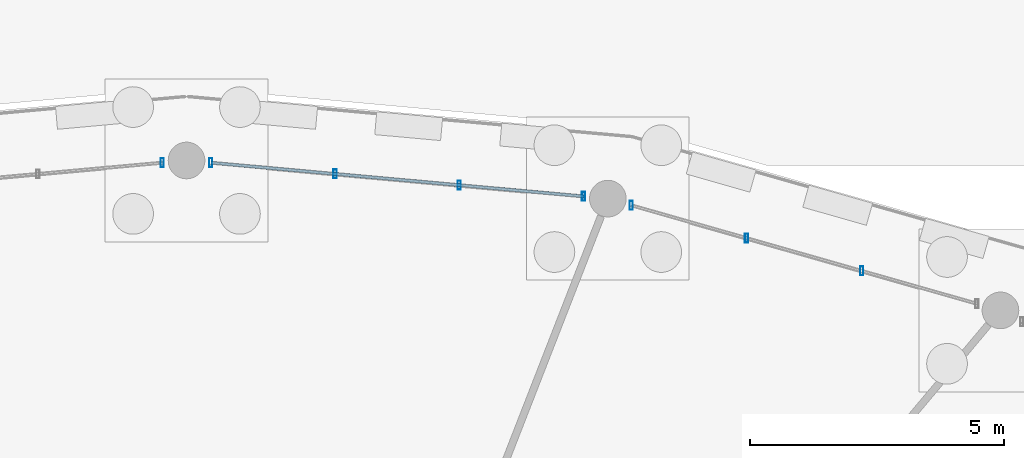
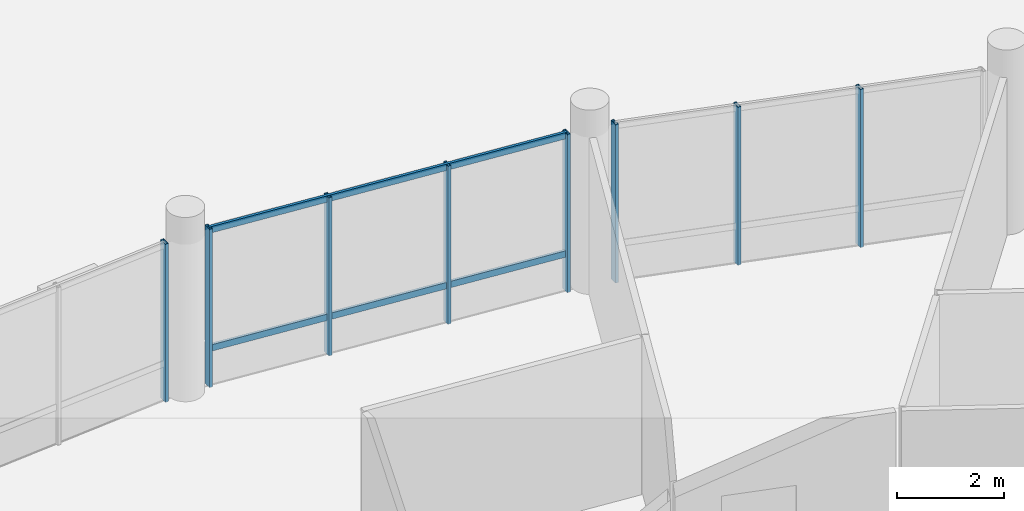
# One storey, part 43 of 98: 10 members, 3 elements without a shape of their own.
"""IFC4 building model written with IfcOpenShell, lengths in metres."""

from ifc_helpers import new_model, si_unit, direction, frame, origin, origin_2d, place, context, subcontext, project, spatial, hollow_rectangle, extrude, material, material_profile, profile_set, type_object, element, aggregate, save


model = new_model("IFC4")

# Units and contexts
model_context = context("Model", 3, precision=1e-05, world=origin(), true_north=direction((0.0, 1.0)))
body_context = subcontext(model_context, "Body", "Model", "MODEL_VIEW")
ifc_project = project(units=[si_unit("LENGTHUNIT", "METRE"), si_unit("AREAUNIT", "SQUARE_METRE"), si_unit("VOLUMEUNIT", "CUBIC_METRE"), si_unit("PLANEANGLEUNIT", "RADIAN"), si_unit("MASSUNIT", "GRAM", prefix="KILO")], contexts=[model_context])

# Site, building, storey
site_placement = place(None, origin())
site = spatial("IfcSite", under=ifc_project, at=site_placement, CompositionType="ELEMENT")
building_placement = place(site_placement, origin())
building = spatial("IfcBuilding", under=site, at=building_placement, Name="Zornivar Specialist Clinic", CompositionType="ELEMENT")
storey_placement = place(building_placement, origin())
storey = spatial("IfcBuildingStorey", under=building, at=storey_placement, Name="L00", CompositionType="ELEMENT", Elevation=0.0)

# Curtain wall, members
ifc_material_1 = material(Name="Aluminium and Low-E Glass Curtain Wall", Category="aluminium")
curtain_wall_type = type_object("IfcCurtainWallType", Name="CW-DRUM-FACET", PredefinedType="NOTDEFINED", material=ifc_material_1)
curtain_wall_1_placement = place(storey_placement, origin())
curtain_wall_1 = element("IfcCurtainWall", 1, at=curtain_wall_1_placement, inside=storey, type_object=curtain_wall_type, Name="cw:V1:L00:c04", PredefinedType="NOTDEFINED")
ifc_material_2 = material(Name="Aluminium AW-6060", Category="aluminium")
ifc_material_profile_1 = material_profile(ifc_material_2, hollow_rectangle(XDim=0.06494140625, YDim=0.175048828125, WallThickness=0.00439453125, at=origin_2d()), Name="ALU 65x175x4.5")
ifc_profile_set_1 = profile_set([ifc_material_profile_1], Name="Aluminium AW-6060")
member_type_1 = type_object("IfcMemberType", Name="CWM-MUL-175", PredefinedType="MULLION", material=ifc_profile_set_1)
member_1_placement = place(storey_placement, frame((106.8740234375, 77.428955078125, 0.0), z_axis=(0.0, 0.0, 1.0), x_axis=(1.0, 0.0, 0.0)))
member_1 = element("IfcMember", 2, at=member_1_placement, type_object=member_type_1, Name="cw:V1:L00:c04:mul:1", PredefinedType="MULLION", context=body_context, shape_type="SweptSolid", body=[
    extrude(hollow_rectangle(XDim=0.06494140625, YDim=0.175048828125, WallThickness=0.00439453125, at=origin_2d()), origin(), (0.0, 0.0, 1.0), 3.610107421875),
])
member_2_placement = place(storey_placement, frame((104.60791015625, 78.072998046875, 0.0), z_axis=(0.0, 0.0, 1.0), x_axis=(1.0, 0.0, 0.0)))
member_2 = element("IfcMember", 3, at=member_2_placement, type_object=member_type_1, Name="cw:V1:L00:c04:mul:2", PredefinedType="MULLION", context=body_context, shape_type="SweptSolid", body=[
    extrude(hollow_rectangle(XDim=0.06494140625, YDim=0.175048828125, WallThickness=0.00439453125, at=origin_2d()), origin(), (0.0, 0.0, 1.0), 3.610107421875),
])
member_3_placement = place(storey_placement, frame((102.343017578125, 78.718017578125, 0.0), z_axis=(0.0, 0.0, 1.0), x_axis=(1.0, 0.0, 0.0)))
member_3 = element("IfcMember", 4, at=member_3_placement, type_object=member_type_1, Name="cw:V1:L00:c04:mul:3", PredefinedType="MULLION", context=body_context, shape_type="SweptSolid", body=[
    extrude(hollow_rectangle(XDim=0.06494140625, YDim=0.175048828125, WallThickness=0.00439453125, at=origin_2d()), origin(), (0.0, 0.0, 1.0), 3.610107421875),
])
aggregate(curtain_wall_1, [member_1, member_2, member_3])

curtain_wall_2_placement = place(storey_placement, origin())
curtain_wall_2 = element("IfcCurtainWall", 5, at=curtain_wall_2_placement, inside=storey, type_object=curtain_wall_type, Name="cw:V1:L00:c05", PredefinedType="NOTDEFINED")
member_4_placement = place(storey_placement, frame((101.404052734375, 78.89404296875, 0.0), z_axis=(0.0, 0.0, 1.0), x_axis=(1.0, 0.0, 0.0)))
member_4 = element("IfcMember", 6, at=member_4_placement, type_object=member_type_1, Name="cw:V1:L00:c05:mul:0", PredefinedType="MULLION", context=body_context, shape_type="SweptSolid", body=[
    extrude(hollow_rectangle(XDim=0.06494140625, YDim=0.175048828125, WallThickness=0.00439453125, at=origin_2d()), origin(), (0.0, 0.0, 1.0), 3.610107421875),
])
member_5_placement = place(storey_placement, frame((98.9619140625, 79.114990234375, 0.0), z_axis=(0.0, 0.0, 1.0), x_axis=(1.0, 0.0, 0.0)))
member_5 = element("IfcMember", 7, at=member_5_placement, type_object=member_type_1, Name="cw:V1:L00:c05:mul:1", PredefinedType="MULLION", context=body_context, shape_type="SweptSolid", body=[
    extrude(hollow_rectangle(XDim=0.06494140625, YDim=0.175048828125, WallThickness=0.00439453125, at=origin_2d()), origin(), (0.0, 0.0, 1.0), 3.610107421875),
])
member_6_placement = place(storey_placement, frame((96.52001953125, 79.3359375, 0.0), z_axis=(0.0, 0.0, 1.0), x_axis=(1.0, 0.0, 0.0)))
member_6 = element("IfcMember", 8, at=member_6_placement, type_object=member_type_1, Name="cw:V1:L00:c05:mul:2", PredefinedType="MULLION", context=body_context, shape_type="SweptSolid", body=[
    extrude(hollow_rectangle(XDim=0.06494140625, YDim=0.175048828125, WallThickness=0.00439453125, at=origin_2d()), origin(), (0.0, 0.0, 1.0), 3.610107421875),
])
member_7_placement = place(storey_placement, frame((94.077880859375, 79.556884765625, 0.0), z_axis=(0.0, 0.0, 1.0), x_axis=(1.0, 0.0, 0.0)))
member_7 = element("IfcMember", 9, at=member_7_placement, type_object=member_type_1, Name="cw:V1:L00:c05:mul:3", PredefinedType="MULLION", context=body_context, shape_type="SweptSolid", body=[
    extrude(hollow_rectangle(XDim=0.06494140625, YDim=0.175048828125, WallThickness=0.00439453125, at=origin_2d()), origin(), (0.0, 0.0, 1.0), 3.610107421875),
])

# Curtain wall, member
curtain_wall_3_placement = place(storey_placement, origin())
curtain_wall_3 = element("IfcCurtainWall", 10, at=curtain_wall_3_placement, inside=storey, type_object=curtain_wall_type, Name="cw:V1:L00:c06", PredefinedType="NOTDEFINED")
member_8_placement = place(storey_placement, frame((93.1220703125, 79.555908203125, 0.0), z_axis=(0.0, 0.0, 1.0), x_axis=(1.0, 0.0, 0.0)))
member_8 = element("IfcMember", 11, at=member_8_placement, type_object=member_type_1, Name="cw:V1:L00:c06:mul:0", PredefinedType="MULLION", context=body_context, shape_type="SweptSolid", body=[
    extrude(hollow_rectangle(XDim=0.06494140625, YDim=0.175048828125, WallThickness=0.00439453125, at=origin_2d()), origin(), (0.0, 0.0, 1.0), 3.610107421875),
])
aggregate(curtain_wall_3, [member_8])

# Member
ifc_material_3 = material(Name="Aluminium AW-6060", Category="aluminium")
ifc_material_profile_2 = material_profile(ifc_material_3, hollow_rectangle(XDim=0.06005859375, YDim=0.14501953125, WallThickness=0.00390625, at=origin_2d()), Name="ALU 60x145x4")
ifc_profile_set_2 = profile_set([ifc_material_profile_2], Name="Aluminium AW-6060")
member_type_2 = type_object("IfcMemberType", Name="CWM-TRN-145", PredefinedType="USERDEFINED", material=ifc_profile_set_2)
member_9_placement = place(storey_placement, frame((101.404052734375, 78.89404296875, 0.85009765625), z_axis=(-0.995943921343, 0.089976138722, 0.0), x_axis=(-0.089976138722, -0.995943921343, 0.0)))
member_9 = element("IfcMember", 12, at=member_9_placement, type_object=member_type_2, Name="cw:V1:L00:c05:trn:0", ObjectType="TRANSOM", PredefinedType="USERDEFINED", context=body_context, shape_type="SweptSolid", body=[
    extrude(hollow_rectangle(XDim=0.06005859375, YDim=0.14501953125, WallThickness=0.00390625, at=origin_2d()), origin(), (0.0, 0.0, 1.0), 7.35595703125),
])

member_10_placement = place(storey_placement, frame((101.404052734375, 78.89404296875, 3.544921875), z_axis=(-0.995943921343, 0.089976138722, 0.0), x_axis=(-0.089976138722, -0.995943921343, 0.0)))
member_10 = element("IfcMember", 13, at=member_10_placement, type_object=member_type_2, Name="cw:V1:L00:c05:trn:1", ObjectType="TRANSOM", PredefinedType="USERDEFINED", context=body_context, shape_type="SweptSolid", body=[
    extrude(hollow_rectangle(XDim=0.06005859375, YDim=0.14501953125, WallThickness=0.00390625, at=origin_2d()), origin(), (0.0, 0.0, 1.0), 7.35595703125),
])

aggregate(curtain_wall_2, [member_4, member_5, member_6, member_7, member_9, member_10])

save(model, "model.ifc")
